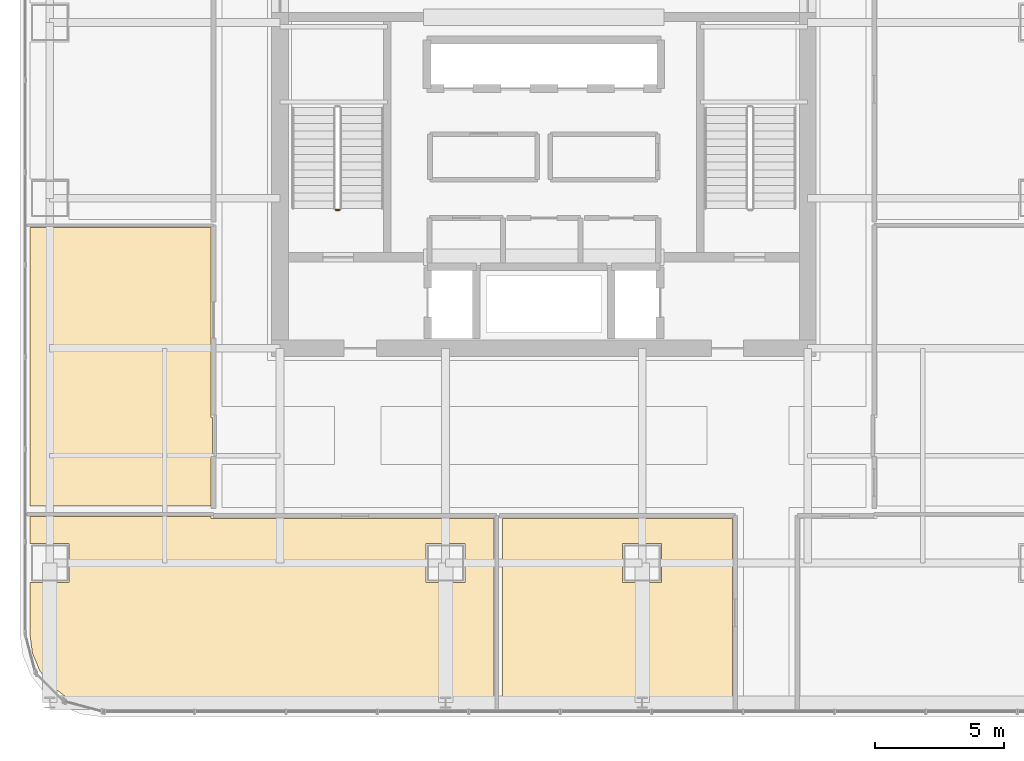
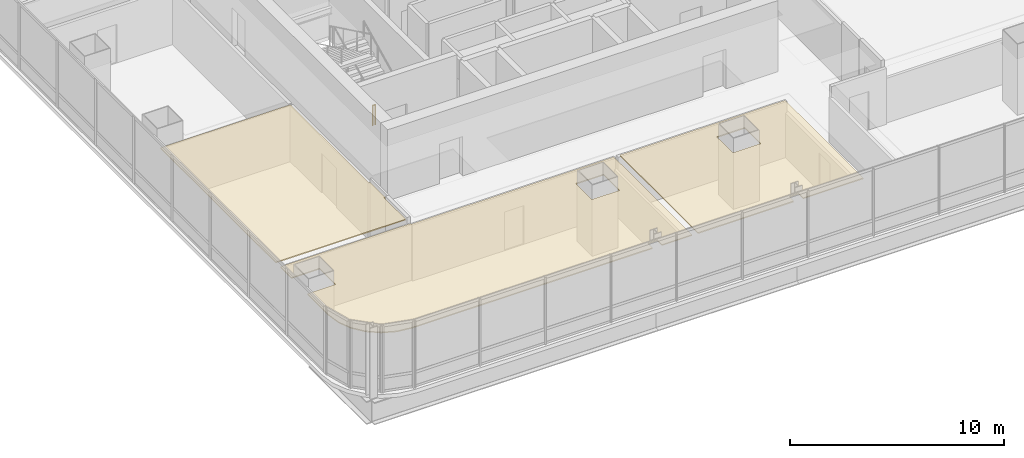
# One storey, part 32 of 36: 3 coverings, 1 railing.
"""IFC4 building model written with IfcOpenShell, lengths in metres."""

from ifc_helpers import new_model, si_unit, direction, frame, origin, origin_2d, place, context, subcontext, project, spatial, polyline, circle, outline, extrude, material, layer, layer_set, type_object, element, save


model = new_model("IFC4")

# Units and contexts
model_context = context("Model", 3, precision=1e-05, world=origin(), true_north=direction((0.0, 1.0)))
body_context = subcontext(model_context, "Body", "Model", "MODEL_VIEW")
ifc_project = project(units=[si_unit("LENGTHUNIT", "METRE"), si_unit("AREAUNIT", "SQUARE_METRE"), si_unit("VOLUMEUNIT", "CUBIC_METRE"), si_unit("PLANEANGLEUNIT", "RADIAN"), si_unit("MASSUNIT", "GRAM", prefix="KILO")], contexts=[model_context])

# Site, building, storey
site_placement = place(None, origin())
site = spatial("IfcSite", under=ifc_project, at=site_placement, CompositionType="ELEMENT")
building_placement = place(site_placement, origin())
building = spatial("IfcBuilding", under=site, at=building_placement, Name="Punatoya Terracotta Tower", CompositionType="ELEMENT")
storey_placement = place(building_placement, frame((0.0, 0.0, 208.64990234375)))
storey = spatial("IfcBuildingStorey", under=building, at=storey_placement, Name="L49", CompositionType="ELEMENT", Elevation=208.64990234375)

# Coverings
ifc_material_1 = material(Name="Acoustic Mineral Fibre Ceiling")
ifc_layer = layer(ifc_material_1, 0.06005859375)
ifc_layer_set = layer_set([ifc_layer], Name="Acoustic Mineral Fibre Ceiling")
covering_type = type_object("IfcCoveringType", Name="COV-CEIL-60", PredefinedType="CEILING", material=ifc_layer_set)
covering_1_placement = place(storey_placement, frame((0.0, 0.0, 3.22021484375)))
element("IfcCovering", 1, at=covering_1_placement, inside=storey, type_object=covering_type, Name="L49 Open Workplace Studio Acoustic Ceiling", PredefinedType="CEILING", context=body_context, shape_type="SweptSolid", body=[
    extrude(outline(polyline([(-19.8701171875, -16.75), (-18.35009765625, -16.75), (-18.35009765625, -18.25), (-19.8701171875, -18.25), (-19.8701171875, -20.22509765625), (-19.770751953125, -20.97900390625), (-19.489501953125, -21.658203125), (-19.041748046875, -22.24169921875), (-18.458251953125, -22.689453125), (-17.779052734375, -22.970703125), (-17.025146484375, -23.070068359375), (-4.054443359375, -23.070068359375), (-4.054443359375, -22.637451171875), (-3.54541015625, -22.637451171875), (-3.54541015625, -23.070068359375), (-1.927001953125, -23.070068359375), (-1.927001953125, -15.77001953125), (-12.8701171875, -15.77001953125), (-12.8701171875, -15.7099609375), (-19.8701171875, -15.7099609375), (-19.8701171875, -16.75)]), holes=[polyline([(-4.550048828125, -16.75), (-3.050048828125, -16.75), (-3.050048828125, -18.25), (-4.550048828125, -18.25), (-4.550048828125, -16.75)])]), origin(), (0.0, 0.0, 1.0), 0.059814453125),
])
covering_2_placement = place(storey_placement, frame((0.0, 0.0, 3.22021484375)))
element("IfcCovering", 2, at=covering_2_placement, inside=storey, type_object=covering_type, Name="L49 Open-Plan Analytical Practice Office Acoustic Ceiling", PredefinedType="CEILING", context=body_context, shape_type="SweptSolid", body=[
    extrude(outline(polyline([(3.54541015625, -22.637451171875), (4.054443359375, -22.637451171875), (4.054443359375, -23.070068359375), (7.300048828125, -23.070068359375), (7.300048828125, -15.77001953125), (-1.60693359375, -15.77001953125), (-1.60693359375, -23.070068359375), (3.54541015625, -23.070068359375), (3.54541015625, -22.637451171875)]), holes=[polyline([(4.550048828125, -16.75), (4.550048828125, -18.25), (3.050048828125, -18.25), (3.050048828125, -16.75), (4.550048828125, -16.75)])]), origin(), (0.0, 0.0, 1.0), 0.059814453125),
])
covering_3_placement = place(storey_placement, frame((0.0, 0.0, 3.22021484375)))
element("IfcCovering", 3, at=covering_3_placement, inside=storey, type_object=covering_type, Name="L49 Client Strategy Boardroom Acoustic Ceiling", PredefinedType="CEILING", context=body_context, shape_type="SweptSolid", body=[
    extrude(outline(polyline([(-12.8701171875, -13.280029296875), (-12.81005859375, -13.280029296875), (-12.81005859375, -11.8701171875), (-12.8701171875, -11.8701171875), (-12.8701171875, -4.5380859375), (-19.8701171875, -4.5380859375), (-19.8701171875, -15.2900390625), (-12.8701171875, -15.2900390625), (-12.8701171875, -13.280029296875)])), origin(), (0.0, 0.0, 1.0), 0.059814453125),
])

# Railing
ifc_material_2 = material(Name="Steel S355", Category="steel")
railing_type = type_object("IfcRailingType", Name="RLG-GRD-1150", PredefinedType="GUARDRAIL", material=ifc_material_2)
railing_placement = place(storey_placement, frame((-7.89990234375, -3.85009765625, 0.0)))
element("IfcRailing", 4, at=railing_placement, inside=storey, type_object=railing_type, Name="L49 ST-1 stair guard 4", PredefinedType="GUARDRAIL", context=body_context, shape_type="SweptSolid", body=[
    extrude(circle(Radius=0.02392578125, at=origin_2d()), frame((0.0, 0.0, 1.1259765625), z_axis=(-1.0, 0.0, 0.0), x_axis=(0.0, -1.0, 0.0)), (0.0, 0.0, 1.0), 0.150146484375),
    extrude(circle(Radius=0.02099609375, at=origin_2d()), origin(), (0.0, 0.0, 1.0), 1.101806640625),
    extrude(circle(Radius=0.02099609375, at=origin_2d()), frame((-0.150146484375, 0.0, 0.0)), (0.0, 0.0, 1.0), 1.101806640625),
])

save(model, "model.ifc")
